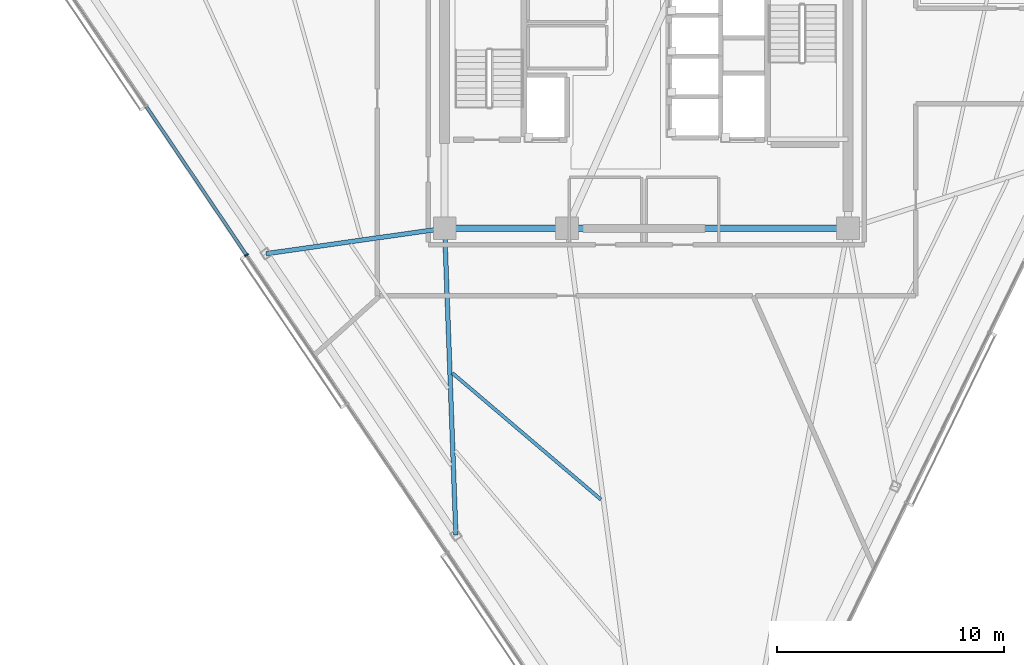
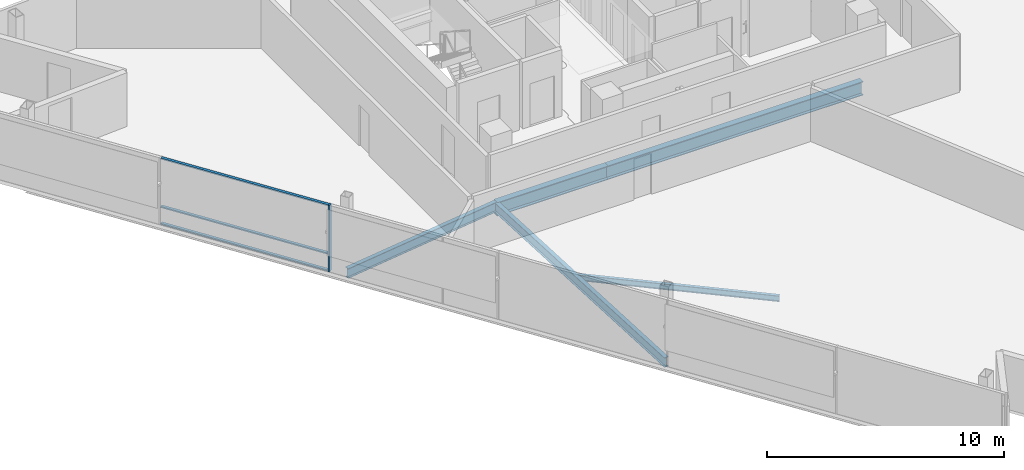
# One storey, part 3 of 16: 5 beams, 4 members, 1 element without a shape of its own.
"""IFC4 building model written with IfcOpenShell, lengths in metres."""

from ifc_helpers import new_model, si_unit, direction, frame, origin, origin_2d, place, context, subcontext, project, spatial, rectangle, i_section, extrude, material, layer, layer_set, material_profile, profile_set, type_object, element, aggregate, save


model = new_model("IFC4")

# Units and contexts
model_context = context("Model", 3, precision=1e-05, world=origin(), true_north=direction((0.0, 1.0)))
body_context = subcontext(model_context, "Body", "Model", "MODEL_VIEW")
ifc_project = project(units=[si_unit("LENGTHUNIT", "METRE"), si_unit("AREAUNIT", "SQUARE_METRE"), si_unit("VOLUMEUNIT", "CUBIC_METRE"), si_unit("PLANEANGLEUNIT", "RADIAN"), si_unit("MASSUNIT", "GRAM", prefix="KILO")], contexts=[model_context])

# Site, building, storey
site_placement = place(None, origin())
site = spatial("IfcSite", under=ifc_project, at=site_placement, CompositionType="ELEMENT")
building_placement = place(site_placement, origin())
building = spatial("IfcBuilding", under=site, at=building_placement, Name="Tharavind Bronze Gate", CompositionType="ELEMENT")
storey_placement = place(building_placement, frame((0.0, 0.0, 271.39990234375)))
storey = spatial("IfcBuildingStorey", under=building, at=storey_placement, Name="L70", CompositionType="ELEMENT", Elevation=271.39990234375)

# Curtain wall, members
ifc_material_1 = material(Name="Anodised Bronze Aluminium", Category="aluminium")
ifc_layer = layer(ifc_material_1, 0.219970703125)
ifc_layer_set = layer_set([ifc_layer], Name="Anodised Bronze Aluminium")
curtain_wall_type = type_object("IfcCurtainWallType", Name="UNITISED CURTAIN WALL UPPER OFFICE", PredefinedType="USERDEFINED", material=ifc_layer_set)
curtain_wall_placement = place(storey_placement, origin())
curtain_wall = element("IfcCurtainWall", 1, at=curtain_wall_placement, inside=storey, type_object=curtain_wall_type, Name="L70 unitised curtain wall upper office CW-L70-S1", ObjectType="UNITISED CURTAIN WALL", PredefinedType="USERDEFINED")
member_type_1 = type_object("IfcMemberType", Name="CURTAIN WALL BRONZE MULLION 65X180", PredefinedType="MULLION", material=ifc_material_1)
member_1_placement = place(storey_placement, frame((-17.639892578125, -8.7802734375, 0.000244140625), z_axis=(0.0, 0.0, 1.0), x_axis=(0.559191456526, -0.82903854853, 0.0)))
member_1 = element("IfcMember", 2, at=member_1_placement, type_object=member_type_1, Name="CW-L70-S1 mullion 3", PredefinedType="MULLION", context=body_context, shape_type="SweptSolid", body=[
    extrude(rectangle(XDim=0.06494140625, YDim=0.179931640625, at=origin_2d()), origin(), (0.0, 0.0, 1.0), 3.419921875),
])
member_type_2 = type_object("IfcMemberType", Name="CURTAIN WALL BRONZE TRANSOM 65X140", PredefinedType="USERDEFINED", material=ifc_material_1)
member_2_placement = place(storey_placement, frame((-19.8544921875, -5.497314453125, 0.000244140625), z_axis=(0.0, 0.0, 1.0), x_axis=(0.559191456526, -0.82903854853, 0.0)))
member_2 = element("IfcMember", 3, at=member_2_placement, type_object=member_type_2, Name="CW-L70-S1 transom TB2", ObjectType="TRANSOM", PredefinedType="USERDEFINED", context=body_context, shape_type="SweptSolid", body=[
    extrude(rectangle(XDim=7.8671875, YDim=0.139892578125, at=origin_2d()), origin(), (0.0, 0.0, 1.0), 0.06494140625),
])
member_3_placement = place(storey_placement, frame((-19.8544921875, -5.497314453125, 0.86767578125), z_axis=(0.0, 0.0, 1.0), x_axis=(0.559191456526, -0.82903854853, 0.0)))
member_3 = element("IfcMember", 4, at=member_3_placement, type_object=member_type_2, Name="CW-L70-S1 transom TS2", ObjectType="TRANSOM", PredefinedType="USERDEFINED", context=body_context, shape_type="SweptSolid", body=[
    extrude(rectangle(XDim=7.8671875, YDim=0.139892578125, at=origin_2d()), origin(), (0.0, 0.0, 1.0), 0.06494140625),
])
member_4_placement = place(storey_placement, frame((-19.8544921875, -5.497314453125, 3.355224609375), z_axis=(0.0, 0.0, 1.0), x_axis=(0.559191456526, -0.82903854853, 0.0)))
member_4 = element("IfcMember", 5, at=member_4_placement, type_object=member_type_2, Name="CW-L70-S1 transom TT2", ObjectType="TRANSOM", PredefinedType="USERDEFINED", context=body_context, shape_type="SweptSolid", body=[
    extrude(rectangle(XDim=7.8671875, YDim=0.139892578125, at=origin_2d()), origin(), (0.0, 0.0, 1.0), 0.06494140625),
])
aggregate(curtain_wall, [member_1, member_2, member_3, member_4])

# Beams
ifc_material_2 = material(Name="Steel S355", Category="steel")
ifc_material_profile_1 = material_profile(ifc_material_2, i_section(OverallWidth=0.199951171875, OverallDepth=0.5, WebThickness=0.01025390625, FlangeThickness=0.01611328125, at=origin_2d()), Name="IPE500")
ifc_profile_set_1 = profile_set([ifc_material_profile_1], Name="Steel S355")
beam_type_1 = type_object("IfcBeamType", Name="PRIMARY GIRDER IPE500", PredefinedType="USERDEFINED", material=ifc_profile_set_1)
beam_1_placement = place(storey_placement, frame((-16.776123046875, -8.719970703125, -0.429931640625), z_axis=(0.99004257138, 0.14076827361, 0.0), x_axis=(-0.14076827361, 0.99004257138, 0.0)))
element("IfcBeam", 6, at=beam_1_placement, inside=storey, type_object=beam_type_1, Name="L70 primary girder ipe500 BM-L70-RAD02", ObjectType="GIRDER", PredefinedType="USERDEFINED", context=body_context, shape_type="SweptSolid", body=[
    extrude(i_section(OverallWidth=0.199951171875, OverallDepth=0.5, WebThickness=0.01025390625, FlangeThickness=0.01611328125, at=origin_2d()), origin(), (0.0, 0.0, 1.0), 7.955322265625),
])
beam_2_placement = place(storey_placement, frame((-8.40234375, -21.134521484375, -0.429931640625), z_axis=(-0.036737634404, 0.99932494526, 0.0), x_axis=(-0.99932494526, -0.036737634404, 0.0)))
element("IfcBeam", 7, at=beam_2_placement, inside=storey, type_object=beam_type_1, Name="L70 primary girder ipe500 BM-L70-RAD03", ObjectType="GIRDER", PredefinedType="USERDEFINED", context=body_context, shape_type="SweptSolid", body=[
    extrude(i_section(OverallWidth=0.199951171875, OverallDepth=0.5, WebThickness=0.01025390625, FlangeThickness=0.01611328125, at=origin_2d()), origin(), (0.0, 0.0, 1.0), 13.54345703125),
])
ifc_material_profile_2 = material_profile(ifc_material_2, i_section(OverallWidth=0.300048828125, OverallDepth=0.699951171875, WebThickness=0.01708984375, FlangeThickness=0.031982421875, at=origin_2d()), Name="HE700B")
ifc_profile_set_2 = profile_set([ifc_material_profile_2], Name="Steel S355")
beam_type_2 = type_object("IfcBeamType", Name="RING GIRDER HE700B", PredefinedType="USERDEFINED", material=ifc_profile_set_2)
beam_3_placement = place(storey_placement, frame((-8.89990234375, -7.60009765625, -0.52978515625), z_axis=(1.0, 0.0, 0.0), x_axis=(0.0, 1.0, 0.0)))
element("IfcBeam", 8, at=beam_3_placement, inside=storey, type_object=beam_type_2, Name="L70 ring girder he700b BM-L70-CR1", ObjectType="GIRDER", PredefinedType="USERDEFINED", context=body_context, shape_type="SweptSolid", body=[
    extrude(i_section(OverallWidth=0.300048828125, OverallDepth=0.699951171875, WebThickness=0.01708984375, FlangeThickness=0.031982421875, at=origin_2d()), origin(), (0.0, 0.0, 1.0), 5.39990234375),
])
beam_4_placement = place(storey_placement, frame((-3.5, -7.60009765625, -0.52978515625), z_axis=(1.0, 0.0, 0.0), x_axis=(0.0, 1.0, 0.0)))
element("IfcBeam", 9, at=beam_4_placement, inside=storey, type_object=beam_type_2, Name="L70 ring girder he700b BM-L70-CR2", ObjectType="GIRDER", PredefinedType="USERDEFINED", context=body_context, shape_type="SweptSolid", body=[
    extrude(i_section(OverallWidth=0.300048828125, OverallDepth=0.699951171875, WebThickness=0.01708984375, FlangeThickness=0.031982421875, at=origin_2d()), origin(), (0.0, 0.0, 1.0), 12.39990234375),
])
ifc_material_profile_3 = material_profile(ifc_material_2, i_section(OverallWidth=0.14990234375, OverallDepth=0.300048828125, WebThickness=0.007080078125, FlangeThickness=0.0107421875, at=origin_2d()), Name="IPE300")
ifc_profile_set_3 = profile_set([ifc_material_profile_3], Name="Steel S355")
beam_type_3 = type_object("IfcBeamType", Name="SECONDARY FLOOR JOIST IPE300", PredefinedType="JOIST", material=ifc_profile_set_3)
beam_5_placement = place(storey_placement, frame((-8.562255859375, -13.98388671875, -0.329833984375), z_axis=(0.761516768495, -0.648145208499, 0.0), x_axis=(0.648145208499, 0.761516768495, 0.0)))
element("IfcBeam", 10, at=beam_5_placement, inside=storey, type_object=beam_type_3, Name="L70 secondary floor joist ipe300 BM-L70-JSTA03", PredefinedType="JOIST", context=body_context, shape_type="SweptSolid", body=[
    extrude(i_section(OverallWidth=0.14990234375, OverallDepth=0.300048828125, WebThickness=0.007080078125, FlangeThickness=0.0107421875, at=origin_2d()), origin(), (0.0, 0.0, 1.0), 8.61376953125),
])

save(model, "model.ifc")
